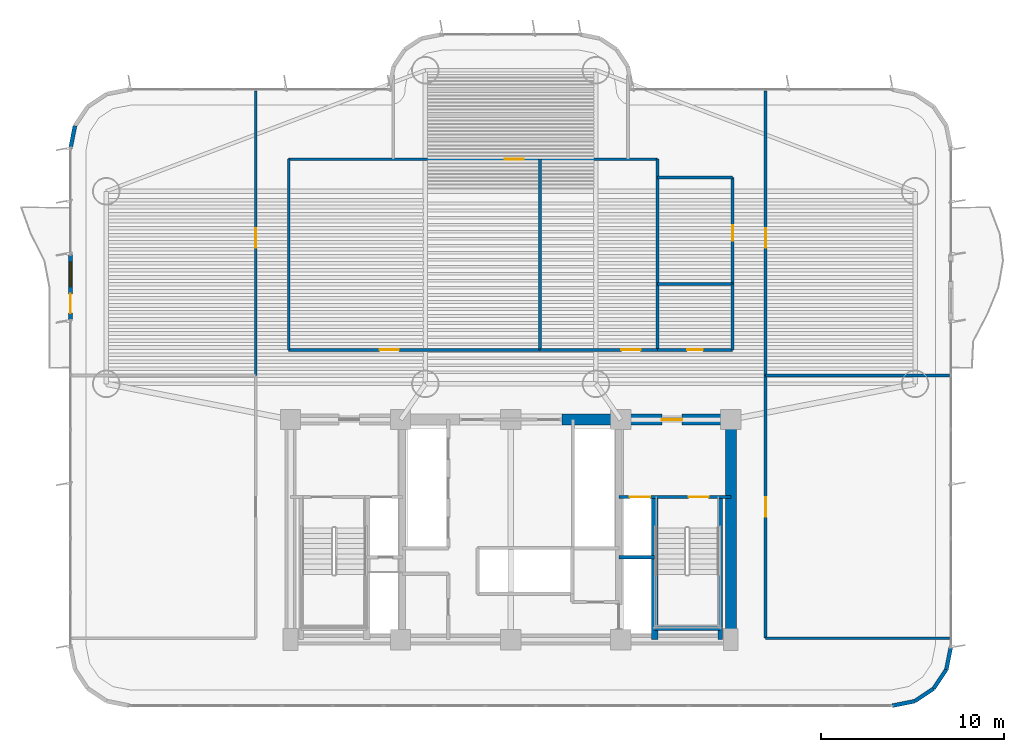
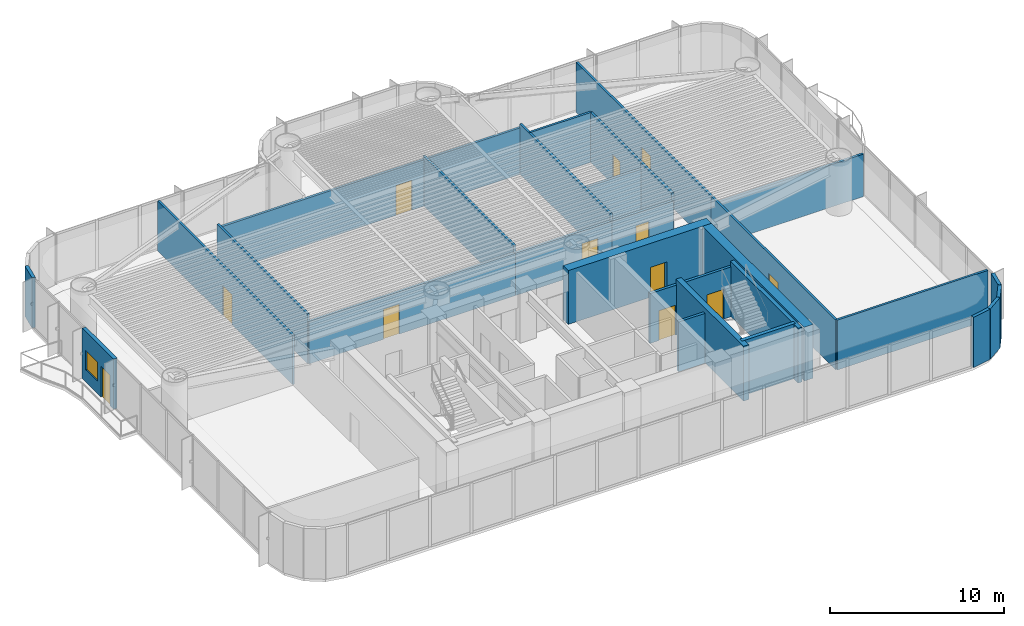
# One storey, part 11 of 16: 29 walls, 12 doors, 1 window, 13 openings.
"""IFC4 building model written with IfcOpenShell, lengths in metres."""

from ifc_helpers import new_model, si_unit, direction, frame, frame_2d, origin, origin_2d, place, context, subcontext, project, spatial, rectangle, extrude, source, transform, mapped, material, layer, layer_set, type_object, element, fill, save


model = new_model("IFC4")

# Units and contexts
model_context = context("Model", 3, precision=1e-05, world=origin(), true_north=direction((0.0, 1.0)))
body_context = subcontext(model_context, "Body", "Model", "MODEL_VIEW")
ifc_project = project(units=[si_unit("LENGTHUNIT", "METRE"), si_unit("AREAUNIT", "SQUARE_METRE"), si_unit("VOLUMEUNIT", "CUBIC_METRE"), si_unit("PLANEANGLEUNIT", "RADIAN"), si_unit("MASSUNIT", "GRAM", prefix="KILO")], contexts=[model_context])

# Site, building, storey
site_placement = place(None, origin())
site = spatial("IfcSite", under=ifc_project, at=site_placement, CompositionType="ELEMENT")
building_placement = place(site_placement, origin())
building = spatial("IfcBuilding", under=site, at=building_placement, Name="Brelvock Crest Care Tower", CompositionType="ELEMENT")
storey_placement = place(building_placement, frame((0.0, 0.0, 61.02001953125)))
storey = spatial("IfcBuildingStorey", under=building, at=storey_placement, Name="L15", CompositionType="ELEMENT", Elevation=61.02001953125)

# Wall
ifc_material_1 = material(Name="Concrete S80 (80 MPa)", Category="concrete")
ifc_layer_1 = layer(ifc_material_1, 0.60009765625, Name="WL-CS1")
ifc_layer_set_1 = layer_set([ifc_layer_1], Name="Concrete S80 (80 MPa)")
wall_type_1 = type_object("IfcWallType", Name="WL-CS1", PredefinedType="SHEAR", material=ifc_layer_set_1)
wall_1_placement = place(storey_placement, frame((48.0, 18.0, 0.0), z_axis=(0.0, 0.0, 1.0), x_axis=(0.0, -1.0, 0.0)))
element("IfcWall", 1, at=wall_1_placement, inside=storey, type_object=wall_type_1, Name="L15 Core East Shear Wall", PredefinedType="SHEAR", context=body_context, shape_type="SweptSolid", body=[
    extrude(rectangle(XDim=12.0, YDim=0.60009765625, at=frame_2d((6.0, 0.0))), origin(), (0.0, 0.0, 1.0), 3.780029296875),
])

# Wall, opening, door
wall_2_placement = place(storey_placement, frame((38.800048828125, 18.0, 0.0), z_axis=(0.0, 0.0, 1.0), x_axis=(1.0, 0.0, 0.0)))
wall_2 = element("IfcWall", 2, at=wall_2_placement, inside=storey, type_object=wall_type_1, Name="L15 Core North-East Shear Wall", PredefinedType="SHEAR", context=body_context, shape_type="SweptSolid", body=[
    extrude(rectangle(XDim=9.5, YDim=0.60009765625, at=frame_2d((4.75, 0.0))), origin(), (0.0, 0.0, 1.0), 3.780029296875),
])
opening_1_placement = place(wall_2_placement, frame((5.449951171875, 0.0, 0.0)))
opening_1 = element("IfcOpeningElement", 3, at=opening_1_placement, cuts=wall_2, Name="Opening FD-1", PredefinedType="OPENING", context=body_context, shape_type="SweptSolid", body=[
    extrude(rectangle(XDim=1.10009765625, YDim=2.10009765625, at=origin_2d()), frame((0.550048828125, 0.31005859375, 1.050048828125), z_axis=(0.0, -1.0, 0.0), x_axis=(1.0, 0.0, 0.0)), (0.0, 0.0, 1.0), 0.6201171875),
])
ifc_material_2 = material(Name="Steel Grade 350", Category="steel")
door_type_1 = type_object("IfcDoorType", Name="DR-FFL1", OperationType="NOTDEFINED", PredefinedType="DOOR", material=ifc_material_2)
shared_shape_1 = source(origin(), body_context, "Body", "SweptSolid", [
    extrude(rectangle(XDim=1.10009765625, YDim=2.10009765625, at=origin_2d()), frame((0.550048828125, 0.02490234375, 1.050048828125), z_axis=(0.0, -1.0, 0.0), x_axis=(1.0, 0.0, 0.0)), (0.0, 0.0, 1.0), 0.050048828125),
])
door_1_placement = place(opening_1_placement, origin())
door_1 = element("IfcDoor", 4, at=door_1_placement, inside=storey, type_object=door_type_1, Name="L15 Firefighting Lobby FFL-2 Exit Door", OperationType="SINGLE_SWING_RIGHT", OverallHeight=2.10009765625, OverallWidth=1.10009765625, PredefinedType="DOOR", context=body_context, shape_type="MappedRepresentation", body=[
    mapped(shared_shape_1, transform((0.0, 0.0, 0.0), x_axis=(1.0, 0.0, 0.0), y_axis=(0.0, 1.0, 0.0), z_axis=(0.0, 0.0, 1.0), scale=1.0)),
])
fill(opening_1, door_1)

# Walls
ifc_layer_2 = layer(ifc_material_1, 0.35009765625, Name="WL-CS5")
ifc_layer_set_2 = layer_set([ifc_layer_2], Name="Concrete S80 (80 MPa)")
wall_type_2 = type_object("IfcWallType", Name="WL-CS5", PredefinedType="SHEAR", material=ifc_layer_set_2)
wall_3_placement = place(storey_placement, frame((43.85009765625, 6.0, 0.0), z_axis=(0.0, 0.0, 1.0), x_axis=(0.0, 1.0, 0.0)))
element("IfcWall", 5, at=wall_3_placement, inside=storey, type_object=wall_type_2, Name="L15 Core Stair ST-2 West Shear Wall", PredefinedType="SHEAR", context=body_context, shape_type="SweptSolid", body=[
    extrude(rectangle(XDim=7.780029296875, YDim=0.35009765625, at=frame_2d((3.89013671875, 0.0))), origin(), (0.0, 0.0, 1.0), 3.85009765625),
])
ifc_layer_3 = layer(ifc_material_1, 0.25, Name="WL-CS6")
ifc_layer_set_3 = layer_set([ifc_layer_3], Name="Concrete S80 (80 MPa)")
wall_type_3 = type_object("IfcWallType", Name="WL-CS6", PredefinedType="SHEAR", material=ifc_layer_set_3)
wall_4_placement = place(storey_placement, frame((47.419921875, 6.0, 0.0), z_axis=(0.0, 0.0, 1.0), x_axis=(0.0, 1.0, 0.0)))
element("IfcWall", 6, at=wall_4_placement, inside=storey, type_object=wall_type_3, Name="L15 Core Stair ST-2 East Shear Wall", PredefinedType="SHEAR", context=body_context, shape_type="SweptSolid", body=[
    extrude(rectangle(XDim=7.780029296875, YDim=0.25, at=frame_2d((3.89013671875, 0.0))), origin(), (0.0, 0.0, 1.0), 3.85009765625),
])
wall_5_placement = place(storey_placement, frame((43.85009765625, 6.6201171875, 0.0), z_axis=(0.0, 0.0, 1.0), x_axis=(1.0, 0.0, 0.0)))
element("IfcWall", 7, at=wall_5_placement, inside=storey, type_object=wall_type_3, Name="L15 Core Stair ST-2 South Shear Wall", PredefinedType="SHEAR", context=body_context, shape_type="SweptSolid", body=[
    extrude(rectangle(XDim=3.56982421875, YDim=0.25, at=frame_2d((1.784912109375, 0.0))), origin(), (0.0, 0.0, 1.0), 3.85009765625),
])

# Wall, openings, door, window
ifc_material_3 = material(Name="Precast concrete N40 (40 MPa)", Category="concrete")
ifc_layer_4 = layer(ifc_material_3, 0.239990234375, Name="WL-EX1")
ifc_layer_set_4 = layer_set([ifc_layer_4], Name="Precast concrete N40 (40 MPa)")
wall_type_4 = type_object("IfcWallType", Name="WL-EX1", PredefinedType="SOLIDWALL", material=ifc_layer_set_4)
wall_6_placement = place(storey_placement, frame((12.0, 23.39990234375, 0.0), z_axis=(0.0, 0.0, 1.0), x_axis=(0.0, 1.0, 0.0)))
wall_6 = element("IfcWall", 8, at=wall_6_placement, inside=storey, type_object=wall_type_4, Name="L15 Exterior Spandrel Wall WL-BAL-L15-W", PredefinedType="SOLIDWALL", context=body_context, shape_type="SweptSolid", body=[
    extrude(rectangle(XDim=3.60009765625, YDim=0.239990234375, at=frame_2d((1.800048828125, 0.0))), origin(), (0.0, 0.0, 1.0), 3.530029296875),
])
opening_2_placement = place(wall_6_placement, frame((0.39990234375, 0.0, 0.0)))
opening_2 = element("IfcOpeningElement", 9, at=opening_2_placement, cuts=wall_6, Name="Opening BD-1", PredefinedType="OPENING", context=body_context, shape_type="SweptSolid", body=[
    extrude(rectangle(XDim=1.050048828125, YDim=2.14990234375, at=origin_2d()), frame((0.52490234375, 0.1298828125, 1.074951171875), z_axis=(0.0, -1.0, 0.0), x_axis=(1.0, 0.0, 0.0)), (0.0, 0.0, 1.0), 0.260009765625),
])
opening_3_placement = place(wall_6_placement, frame((1.85009765625, 0.0, 0.85009765625)))
opening_3 = element("IfcOpeningElement", 10, at=opening_3_placement, cuts=wall_6, Name="Opening W-01", PredefinedType="OPENING", context=body_context, shape_type="SweptSolid", body=[
    extrude(rectangle(XDim=1.35009765625, YDim=1.35009765625, at=origin_2d()), frame((0.675048828125, 0.1298828125, 0.675048828125), z_axis=(0.0, -1.0, 0.0), x_axis=(1.0, 0.0, 0.0)), (0.0, 0.0, 1.0), 0.260009765625),
])
ifc_material_4 = material(Name="Dark Glass Double Glazed Low-E", Category="glass")
door_type_2 = type_object("IfcDoorType", Name="DR-BAL1", OperationType="NOTDEFINED", PredefinedType="DOOR", material=ifc_material_4)
shared_shape_2 = source(origin(), body_context, "Body", "SweptSolid", [
    extrude(rectangle(XDim=1.050048828125, YDim=2.14990234375, at=origin_2d()), frame((0.52490234375, 0.02490234375, 1.074951171875), z_axis=(0.0, -1.0, 0.0), x_axis=(1.0, 0.0, 0.0)), (0.0, 0.0, 1.0), 0.050048828125),
])
door_2_placement = place(opening_2_placement, origin())
door_2 = element("IfcDoor", 11, at=door_2_placement, inside=storey, type_object=door_type_2, Name="L15 W Wave Balcony Glazed Door", OperationType="SINGLE_SWING_LEFT", OverallHeight=2.14990234375, OverallWidth=1.050048828125, PredefinedType="DOOR", context=body_context, shape_type="MappedRepresentation", body=[
    mapped(shared_shape_2, transform((0.0, 0.0, 0.0), x_axis=(1.0, 0.0, 0.0), y_axis=(0.0, 1.0, 0.0), z_axis=(0.0, 0.0, 1.0), scale=1.0)),
])
fill(opening_2, door_2)
window_type = type_object("IfcWindowType", Name="WN-EX1", PartitioningType="SINGLE_PANEL", PredefinedType="WINDOW", material=ifc_material_4)
shared_shape_3 = source(origin(), body_context, "Body", "SweptSolid", [
    extrude(rectangle(XDim=1.35009765625, YDim=1.35009765625, at=origin_2d()), frame((0.675048828125, 0.030029296875, 0.675048828125), z_axis=(0.0, -1.0, 0.0), x_axis=(1.0, 0.0, 0.0)), (0.0, 0.0, 1.0), 0.06005859375),
])
window_placement = place(opening_3_placement, origin())
window = element("IfcWindow", 12, at=window_placement, inside=storey, type_object=window_type, Name="L15 W Suite Casement Window", OverallHeight=1.35009765625, OverallWidth=1.35009765625, PartitioningType="SINGLE_PANEL", PredefinedType="WINDOW", context=body_context, shape_type="MappedRepresentation", body=[
    mapped(shared_shape_3, transform((0.0, 0.0, 0.0), x_axis=(1.0, 0.0, 0.0), y_axis=(0.0, 1.0, 0.0), z_axis=(0.0, 0.0, 1.0), scale=1.0)),
])
fill(opening_3, window)

# Walls
ifc_layer_5 = layer(ifc_material_3, 0.215087890625, Name="WL-EX2")
ifc_layer_set_5 = layer_set([ifc_layer_5], Name="Precast concrete N40 (40 MPa)")
wall_type_5 = type_object("IfcWallType", Name="WL-EX2", PredefinedType="SOLIDWALL", material=ifc_layer_set_5)
for number, where, z_axis, x_axis, name in (
    (13, (60.0, 5.60009765625, 0.0), (0.0, 0.0, 1.0), (-0.195138390419, -0.980775717779, 0.0), "L15 Rounded Corner Wall 04"),
    (14, (59.75634765625, 4.37548828125, 0.0), (0.0, 0.0, 1.0), (-0.555557312883, -0.831478245117, 0.0), "L15 Rounded Corner Wall 05"),
    (15, (59.062744140625, 3.33740234375, 0.0), (0.0, 0.0, 1.0), (-0.831387912822, -0.555692485475, 0.0), "L15 Rounded Corner Wall 06"),
    (16, (58.024658203125, 2.6435546875, 0.0), (0.0, 0.0, 1.0), (-0.980775717779, -0.195138390419, 0.0), "L15 Rounded Corner Wall 07"),
    (17, (12.0, 32.800048828125, 0.0), (0.0, 0.0, 1.0), (0.195138390419, 0.980775717779, 0.0), "L15 Rounded Corner Wall 14"),
):
    element("IfcWall", number, at=place(storey_placement, frame(where, z_axis=z_axis, x_axis=x_axis)), inside=storey, type_object=wall_type_5, Name=name, PredefinedType="SOLIDWALL", context=body_context, shape_type="SweptSolid", body=[
        extrude(rectangle(XDim=1.24853515625, YDim=0.215087890625, at=frame_2d((0.624267578125, 0.0))), origin(), (0.0, 0.0, 1.0), 3.530029296875),
    ])
ifc_material_5 = material(Name="Masonry Blockwork Acoustic Partition", Category="masonry")
ifc_layer_6 = layer(ifc_material_5, 0.14990234375, Name="WL-INT1")
ifc_layer_set_6 = layer_set([ifc_layer_6], Name="Masonry Blockwork Acoustic Partition")
wall_type_6 = type_object("IfcWallType", Name="WL-INT1", PredefinedType="PARTITIONING", material=ifc_layer_set_6)
wall_7_placement = place(storey_placement, frame((49.89990234375, 6.080078125, 0.0), z_axis=(0.0, 0.0, 1.0), x_axis=(1.0, 0.0, 0.0)))
element("IfcWall", 18, at=wall_7_placement, inside=storey, type_object=wall_type_6, Name="L15 Interior Wall WL-BX-L15-ES1-S", PredefinedType="PARTITIONING", context=body_context, shape_type="SweptSolid", body=[
    extrude(rectangle(XDim=10.02001953125, YDim=0.14990234375, at=frame_2d((5.010009765625, 0.0))), origin(), (0.0, 0.0, 1.0), 3.5),
])
wall_8_placement = place(storey_placement, frame((49.89990234375, 20.39990234375, 0.0), z_axis=(0.0, 0.0, 1.0), x_axis=(1.0, 0.0, 0.0)))
element("IfcWall", 19, at=wall_8_placement, inside=storey, type_object=wall_type_6, Name="L15 Interior Wall WL-BX-L15-ES1-N", PredefinedType="PARTITIONING", context=body_context, shape_type="SweptSolid", body=[
    extrude(rectangle(XDim=10.02001953125, YDim=0.14990234375, at=frame_2d((5.010009765625, 0.0))), origin(), (0.0, 0.0, 1.0), 2.98193359375),
])

# Wall, opening, door
wall_9_placement = place(storey_placement, frame((23.89990234375, 21.800048828125, 0.0), z_axis=(0.0, 0.0, 1.0), x_axis=(1.0, 0.0, 0.0)))
wall_9 = element("IfcWall", 20, at=wall_9_placement, inside=storey, type_object=wall_type_6, Name="L15 Interior Wall WL-RM-L15-CNW", PredefinedType="PARTITIONING", context=body_context, shape_type="SweptSolid", body=[
    extrude(rectangle(XDim=13.7001953125, YDim=0.14990234375, at=frame_2d((6.85009765625, 0.0))), origin(), (0.0, 0.0, 1.0), 2.98193359375),
])
opening_4_placement = place(wall_9_placement, frame((4.955078125, 0.0, 0.0)))
opening_4 = element("IfcOpeningElement", 21, at=opening_4_placement, cuts=wall_9, Name="Opening CLD-1", PredefinedType="OPENING", context=body_context, shape_type="SweptSolid", body=[
    extrude(rectangle(XDim=1.050048828125, YDim=2.10009765625, at=origin_2d()), frame((0.52490234375, 0.0849609375, 1.050048828125), z_axis=(0.0, -1.0, 0.0), x_axis=(1.0, 0.0, 0.0)), (0.0, 0.0, 1.0), 0.169921875),
])
ifc_material_6 = material(Name="Engineered Hardwood Timber", Category="wood")
door_type_3 = type_object("IfcDoorType", Name="DR-CLN1", OperationType="NOTDEFINED", PredefinedType="DOOR", material=ifc_material_6)
shared_shape_4 = source(origin(), body_context, "Body", "SweptSolid", [
    extrude(rectangle(XDim=1.050048828125, YDim=2.10009765625, at=origin_2d()), frame((0.52490234375, 0.02490234375, 1.050048828125), z_axis=(0.0, -1.0, 0.0), x_axis=(1.0, 0.0, 0.0)), (0.0, 0.0, 1.0), 0.050048828125),
])
door_3_placement = place(opening_4_placement, origin())
door_3 = element("IfcDoor", 22, at=door_3_placement, inside=storey, type_object=door_type_3, Name="L15 Communal Dining Conservatory Door CNW", OperationType="SINGLE_SWING_LEFT", OverallHeight=2.10009765625, OverallWidth=1.050048828125, PredefinedType="DOOR", context=body_context, shape_type="MappedRepresentation", body=[
    mapped(shared_shape_4, transform((0.0, 0.0, 0.0), x_axis=(1.0, 0.0, 0.0), y_axis=(0.0, 1.0, 0.0), z_axis=(0.0, 0.0, 1.0), scale=1.0)),
])
fill(opening_4, door_3)

wall_10_placement = place(storey_placement, frame((37.60009765625, 21.800048828125, 0.0), z_axis=(0.0, 0.0, 1.0), x_axis=(1.0, 0.0, 0.0)))
wall_10 = element("IfcWall", 23, at=wall_10_placement, inside=storey, type_object=wall_type_6, Name="L15 Interior Wall WL-RM-L15-CNE", PredefinedType="PARTITIONING", context=body_context, shape_type="SweptSolid", body=[
    extrude(rectangle(XDim=6.39990234375, YDim=0.14990234375, at=frame_2d((3.199951171875, 0.0))), origin(), (0.0, 0.0, 1.0), 2.98193359375),
])
opening_5_placement = place(wall_10_placement, frame((4.43505859375, 0.0, 0.0)))
opening_5 = element("IfcOpeningElement", 24, at=opening_5_placement, cuts=wall_10, Name="Opening CLD-1", PredefinedType="OPENING", context=body_context, shape_type="SweptSolid", body=[
    extrude(rectangle(XDim=1.050048828125, YDim=2.10009765625, at=origin_2d()), frame((0.52490234375, 0.0849609375, 1.050048828125), z_axis=(0.0, -1.0, 0.0), x_axis=(1.0, 0.0, 0.0)), (0.0, 0.0, 1.0), 0.169921875),
])
door_4_placement = place(opening_5_placement, origin())
door_4 = element("IfcDoor", 25, at=door_4_placement, inside=storey, type_object=door_type_3, Name="L15 Geriatric Nurse Consultation Hub Door CNE", OperationType="SINGLE_SWING_LEFT", OverallHeight=2.10009765625, OverallWidth=1.050048828125, PredefinedType="DOOR", context=body_context, shape_type="MappedRepresentation", body=[
    mapped(shared_shape_4, transform((0.0, 0.0, 0.0), x_axis=(1.0, 0.0, 0.0), y_axis=(0.0, 1.0, 0.0), z_axis=(0.0, 0.0, 1.0), scale=1.0)),
])
fill(opening_5, door_4)

# Wall
wall_11_placement = place(storey_placement, frame((44.0, 31.199951171875, 0.0), z_axis=(0.0, 0.0, 1.0), x_axis=(1.0, 0.0, 0.0)))
element("IfcWall", 26, at=wall_11_placement, inside=storey, type_object=wall_type_6, Name="L15 Interior Wall WL-BX-L15-CKIT-N", PredefinedType="PARTITIONING", context=body_context, shape_type="SweptSolid", body=[
    extrude(rectangle(XDim=4.10009765625, YDim=0.14990234375, at=frame_2d((2.050048828125, 0.0))), origin(), (0.0, 0.0, 1.0), 3.5),
])

# Wall, opening, door
wall_12_placement = place(storey_placement, frame((23.89990234375, 32.199951171875, 0.0), z_axis=(0.0, 0.0, 1.0), x_axis=(1.0, 0.0, 0.0)))
wall_12 = element("IfcWall", 27, at=wall_12_placement, inside=storey, type_object=wall_type_6, Name="L15 Interior Wall WL-RM-L15-NHUB", PredefinedType="PARTITIONING", context=body_context, shape_type="SweptSolid", body=[
    extrude(rectangle(XDim=20.10009765625, YDim=0.14990234375, at=frame_2d((10.050048828125, 0.0))), origin(), (0.0, 0.0, 1.0), 3.259033203125),
])
opening_6_placement = place(wall_12_placement, frame((11.77490234375, 0.0, 0.0)))
opening_6 = element("IfcOpeningElement", 28, at=opening_6_placement, cuts=wall_12, Name="Opening CLD-1", PredefinedType="OPENING", context=body_context, shape_type="SweptSolid", body=[
    extrude(rectangle(XDim=1.050048828125, YDim=2.10009765625, at=origin_2d()), frame((0.52490234375, 0.0849609375, 1.050048828125), z_axis=(0.0, -1.0, 0.0), x_axis=(1.0, 0.0, 0.0)), (0.0, 0.0, 1.0), 0.169921875),
])
door_5_placement = place(opening_6_placement, origin())
door_5 = element("IfcDoor", 29, at=door_5_placement, inside=storey, type_object=door_type_3, Name="L15 Harbour Wintergarden Lounge Door NHUB", OperationType="SINGLE_SWING_LEFT", OverallHeight=2.10009765625, OverallWidth=1.050048828125, PredefinedType="DOOR", context=body_context, shape_type="MappedRepresentation", body=[
    mapped(shared_shape_4, transform((0.0, 0.0, 0.0), x_axis=(1.0, 0.0, 0.0), y_axis=(0.0, 1.0, 0.0), z_axis=(0.0, 0.0, 1.0), scale=1.0)),
])
fill(opening_6, door_5)

wall_13_placement = place(storey_placement, frame((22.10009765625, 20.39990234375, 0.0), z_axis=(0.0, 0.0, 1.0), x_axis=(0.0, 1.0, 0.0)))
wall_13 = element("IfcWall", 30, at=wall_13_placement, inside=storey, type_object=wall_type_6, Name="L15 Interior Wall WL-RM-L15-WS2", PredefinedType="PARTITIONING", context=body_context, shape_type="SweptSolid", body=[
    extrude(rectangle(XDim=15.520751953125, YDim=0.14990234375, at=frame_2d((7.76025390625, 0.0))), origin(), (0.0, 0.0, 1.0), 3.5),
])
opening_7_placement = place(wall_13_placement, frame((6.97509765625, 0.0, 0.0)))
opening_7 = element("IfcOpeningElement", 31, at=opening_7_placement, cuts=wall_13, Name="Opening CLD-1", PredefinedType="OPENING", context=body_context, shape_type="SweptSolid", body=[
    extrude(rectangle(XDim=1.050048828125, YDim=2.10009765625, at=origin_2d()), frame((0.52490234375, 0.0849609375, 1.050048828125), z_axis=(0.0, -1.0, 0.0), x_axis=(1.0, 0.0, 0.0)), (0.0, 0.0, 1.0), 0.169921875),
])
door_6_placement = place(opening_7_placement, origin())
door_6 = element("IfcDoor", 32, at=door_6_placement, inside=storey, type_object=door_type_3, Name="L15 Resident Cinema and Music Salon Door WS2", OperationType="SINGLE_SWING_LEFT", OverallHeight=2.10009765625, OverallWidth=1.050048828125, PredefinedType="DOOR", context=body_context, shape_type="MappedRepresentation", body=[
    mapped(shared_shape_4, transform((0.0, 0.0, 0.0), x_axis=(1.0, 0.0, 0.0), y_axis=(0.0, 1.0, 0.0), z_axis=(0.0, 0.0, 1.0), scale=1.0)),
])
fill(opening_7, door_6)

# Walls
for number, where, z_axis, x_axis, name in (
    (33, (23.89990234375, 21.800048828125, 0.0), (0.0, 0.0, 1.0), (0.0, 1.0, 0.0), "L15 Interior Wall WL-BX-L15-CNW-W"),
    (34, (37.60009765625, 21.800048828125, 0.0), (0.0, 0.0, 1.0), (0.0, 1.0, 0.0), "L15 Interior Wall WL-BX-L15-CNE-W"),
):
    element("IfcWall", number, at=place(storey_placement, frame(where, z_axis=z_axis, x_axis=x_axis)), inside=storey, type_object=wall_type_6, Name=name, PredefinedType="PARTITIONING", context=body_context, shape_type="SweptSolid", body=[
        extrude(rectangle(XDim=10.39990234375, YDim=0.14990234375, at=frame_2d((5.199951171875, 0.0))), origin(), (0.0, 0.0, 1.0), 3.5),
    ])

# Wall, opening, door
wall_14_placement = place(storey_placement, frame((48.10009765625, 25.39990234375, 0.0), z_axis=(0.0, 0.0, 1.0), x_axis=(0.0, 1.0, 0.0)))
wall_14 = element("IfcWall", 35, at=wall_14_placement, inside=storey, type_object=wall_type_6, Name="L15 Interior Wall WL-RM-L15-CKIT", PredefinedType="PARTITIONING", context=body_context, shape_type="SweptSolid", body=[
    extrude(rectangle(XDim=5.800048828125, YDim=0.14990234375, at=frame_2d((2.89990234375, 0.0))), origin(), (0.0, 0.0, 1.0), 3.5),
])
opening_8_placement = place(wall_14_placement, frame((2.340087890625, 0.0, 0.0)))
opening_8 = element("IfcOpeningElement", 36, at=opening_8_placement, cuts=wall_14, Name="Opening ID-1", PredefinedType="OPENING", context=body_context, shape_type="SweptSolid", body=[
    extrude(rectangle(XDim=0.860107421875, YDim=2.10009765625, at=origin_2d()), frame((0.43017578125, 0.0849609375, 1.050048828125), z_axis=(0.0, -1.0, 0.0), x_axis=(1.0, 0.0, 0.0)), (0.0, 0.0, 1.0), 0.169921875),
])
door_type_4 = type_object("IfcDoorType", Name="DR-INT1", OperationType="NOTDEFINED", PredefinedType="DOOR", material=ifc_material_6)
shared_shape_5 = source(origin(), body_context, "Body", "SweptSolid", [
    extrude(rectangle(XDim=0.860107421875, YDim=2.10009765625, at=origin_2d()), frame((0.43017578125, 0.02490234375, 1.050048828125), z_axis=(0.0, -1.0, 0.0), x_axis=(1.0, 0.0, 0.0)), (0.0, 0.0, 1.0), 0.050048828125),
])
door_7_placement = place(opening_8_placement, origin())
door_7 = element("IfcDoor", 37, at=door_7_placement, inside=storey, type_object=door_type_4, Name="L15 Neighbourhood Pantry Kitchen Door CKIT", OperationType="SINGLE_SWING_LEFT", OverallHeight=2.10009765625, OverallWidth=0.860107421875, PredefinedType="DOOR", context=body_context, shape_type="MappedRepresentation", body=[
    mapped(shared_shape_5, transform((0.0, 0.0, 0.0), x_axis=(1.0, 0.0, 0.0), y_axis=(0.0, 1.0, 0.0), z_axis=(0.0, 0.0, 1.0), scale=1.0)),
])
fill(opening_8, door_7)

wall_15_placement = place(storey_placement, frame((49.89990234375, 6.080078125, 0.0), z_axis=(0.0, 0.0, 1.0), x_axis=(0.0, 1.0, 0.0)))
wall_15 = element("IfcWall", 38, at=wall_15_placement, inside=storey, type_object=wall_type_6, Name="L15 Interior Wall WL-RM-L15-ES1", PredefinedType="PARTITIONING", context=body_context, shape_type="SweptSolid", body=[
    extrude(rectangle(XDim=14.31982421875, YDim=0.14990234375, at=frame_2d((7.159912109375, 0.0))), origin(), (0.0, 0.0, 1.0), 3.5),
])
opening_9_placement = place(wall_15_placement, frame((6.635009765625, 0.0, 0.0)))
opening_9 = element("IfcOpeningElement", 39, at=opening_9_placement, cuts=wall_15, Name="Opening CLD-1", PredefinedType="OPENING", context=body_context, shape_type="SweptSolid", body=[
    extrude(rectangle(XDim=1.050048828125, YDim=2.10009765625, at=origin_2d()), frame((0.52490234375, 0.0849609375, 1.050048828125), z_axis=(0.0, -1.0, 0.0), x_axis=(1.0, 0.0, 0.0)), (0.0, 0.0, 1.0), 0.169921875),
])
door_8_placement = place(opening_9_placement, origin())
door_8 = element("IfcDoor", 40, at=door_8_placement, inside=storey, type_object=door_type_3, Name="L15 Quiet Reference Library Door ES1", OperationType="SINGLE_SWING_LEFT", OverallHeight=2.10009765625, OverallWidth=1.050048828125, PredefinedType="DOOR", context=body_context, shape_type="MappedRepresentation", body=[
    mapped(shared_shape_4, transform((0.0, 0.0, 0.0), x_axis=(1.0, 0.0, 0.0), y_axis=(0.0, 1.0, 0.0), z_axis=(0.0, 0.0, 1.0), scale=1.0)),
])
fill(opening_9, door_8)

wall_16_placement = place(storey_placement, frame((49.89990234375, 20.39990234375, 0.0), z_axis=(0.0, 0.0, 1.0), x_axis=(0.0, 1.0, 0.0)))
wall_16 = element("IfcWall", 41, at=wall_16_placement, inside=storey, type_object=wall_type_6, Name="L15 Interior Wall WL-RM-L15-ES2", PredefinedType="PARTITIONING", context=body_context, shape_type="SweptSolid", body=[
    extrude(rectangle(XDim=15.520263671875, YDim=0.14990234375, at=frame_2d((7.76025390625, 0.0))), origin(), (0.0, 0.0, 1.0), 3.5),
])
opening_10_placement = place(wall_16_placement, frame((6.97509765625, 0.0, 0.0)))
opening_10 = element("IfcOpeningElement", 42, at=opening_10_placement, cuts=wall_16, Name="Opening CLD-1", PredefinedType="OPENING", context=body_context, shape_type="SweptSolid", body=[
    extrude(rectangle(XDim=1.050048828125, YDim=2.10009765625, at=origin_2d()), frame((0.52490234375, 0.0849609375, 1.050048828125), z_axis=(0.0, -1.0, 0.0), x_axis=(1.0, 0.0, 0.0)), (0.0, 0.0, 1.0), 0.169921875),
])
door_9_placement = place(opening_10_placement, origin())
door_9 = element("IfcDoor", 43, at=door_9_placement, inside=storey, type_object=door_type_3, Name="L15 Bridge and Harbour Tea Lounge Door ES2", OperationType="SINGLE_SWING_LEFT", OverallHeight=2.10009765625, OverallWidth=1.050048828125, PredefinedType="DOOR", context=body_context, shape_type="MappedRepresentation", body=[
    mapped(shared_shape_4, transform((0.0, 0.0, 0.0), x_axis=(1.0, 0.0, 0.0), y_axis=(0.0, 1.0, 0.0), z_axis=(0.0, 0.0, 1.0), scale=1.0)),
])
fill(opening_10, door_9)

ifc_material_7 = material(Name="Gypsum Plasterboard Partition", Category="gypsum")
ifc_layer_7 = layer(ifc_material_7, 0.159912109375, Name="WL-PLM1")
ifc_layer_set_7 = layer_set([ifc_layer_7], Name="Gypsum Plasterboard Partition")
wall_type_7 = type_object("IfcWallType", Name="WL-PLM1", PredefinedType="PLUMBINGWALL", material=ifc_layer_set_7)
wall_17_placement = place(storey_placement, frame((44.0, 21.800048828125, 0.0), z_axis=(0.0, 0.0, 1.0), x_axis=(1.0, 0.0, 0.0)))
wall_17 = element("IfcWall", 44, at=wall_17_placement, inside=storey, type_object=wall_type_7, Name="L15 Interior Wall WL-RM-L15-CAWC", PredefinedType="PLUMBINGWALL", context=body_context, shape_type="SweptSolid", body=[
    extrude(rectangle(XDim=4.10009765625, YDim=0.159912109375, at=frame_2d((2.050048828125, 0.0))), origin(), (0.0, 0.0, 1.0), 2.98193359375),
])
opening_11_placement = place(wall_17_placement, frame((1.6201171875, 0.0, 0.0)))
opening_11 = element("IfcOpeningElement", 45, at=opening_11_placement, cuts=wall_17, Name="Opening WD-1", PredefinedType="OPENING", context=body_context, shape_type="SweptSolid", body=[
    extrude(rectangle(XDim=0.860107421875, YDim=2.10009765625, at=origin_2d()), frame((0.43017578125, 0.08984375, 1.050048828125), z_axis=(0.0, -1.0, 0.0), x_axis=(1.0, 0.0, 0.0)), (0.0, 0.0, 1.0), 0.179931640625),
])
door_type_5 = type_object("IfcDoorType", Name="DR-WC1", OperationType="NOTDEFINED", PredefinedType="DOOR", material=ifc_material_6)
shared_shape_6 = source(origin(), body_context, "Body", "SweptSolid", [
    extrude(rectangle(XDim=0.860107421875, YDim=2.10009765625, at=origin_2d()), frame((0.43017578125, 0.02490234375, 1.050048828125), z_axis=(0.0, -1.0, 0.0), x_axis=(1.0, 0.0, 0.0)), (0.0, 0.0, 1.0), 0.050048828125),
])
door_10_placement = place(opening_11_placement, origin())
door_10 = element("IfcDoor", 46, at=door_10_placement, inside=storey, type_object=door_type_5, Name="L15 Floor Accessible WC Door CAWC", OperationType="SINGLE_SWING_LEFT", OverallHeight=2.10009765625, OverallWidth=0.860107421875, PredefinedType="DOOR", context=body_context, shape_type="MappedRepresentation", body=[
    mapped(shared_shape_6, transform((0.0, 0.0, 0.0), x_axis=(1.0, 0.0, 0.0), y_axis=(0.0, 1.0, 0.0), z_axis=(0.0, 0.0, 1.0), scale=1.0)),
])
fill(opening_11, door_10)

# Walls
wall_18_placement = place(storey_placement, frame((44.0, 25.39990234375, 0.0), z_axis=(0.0, 0.0, 1.0), x_axis=(1.0, 0.0, 0.0)))
element("IfcWall", 47, at=wall_18_placement, inside=storey, type_object=wall_type_7, Name="L15 Interior Wall WL-BX-L15-CAWC-N", PredefinedType="PLUMBINGWALL", context=body_context, shape_type="SweptSolid", body=[
    extrude(rectangle(XDim=4.10009765625, YDim=0.159912109375, at=frame_2d((2.050048828125, 0.0))), origin(), (0.0, 0.0, 1.0), 3.054931640625),
])
wall_19_placement = place(storey_placement, frame((44.0, 21.800048828125, 0.0), z_axis=(0.0, 0.0, 1.0), x_axis=(0.0, 1.0, 0.0)))
element("IfcWall", 48, at=wall_19_placement, inside=storey, type_object=wall_type_7, Name="L15 Interior Wall WL-BX-L15-CNE-E", PredefinedType="PLUMBINGWALL", context=body_context, shape_type="SweptSolid", body=[
    extrude(rectangle(XDim=10.39990234375, YDim=0.159912109375, at=frame_2d((5.199951171875, 0.0))), origin(), (0.0, 0.0, 1.0), 3.5),
])
wall_20_placement = place(storey_placement, frame((48.10009765625, 21.800048828125, 0.0), z_axis=(0.0, 0.0, 1.0), x_axis=(0.0, 1.0, 0.0)))
element("IfcWall", 49, at=wall_20_placement, inside=storey, type_object=wall_type_7, Name="L15 Interior Wall WL-BX-L15-CAWC-E", PredefinedType="PLUMBINGWALL", context=body_context, shape_type="SweptSolid", body=[
    extrude(rectangle(XDim=3.599853515625, YDim=0.159912109375, at=frame_2d((1.7998046875, 0.0))), origin(), (0.0, 0.0, 1.0), 3.5),
])

# Wall, openings, doors
ifc_layer_8 = layer(ifc_material_5, 0.179931640625, Name="WL-SHF1")
ifc_layer_set_8 = layer_set([ifc_layer_8], Name="Masonry Blockwork Acoustic Partition")
wall_type_8 = type_object("IfcWallType", Name="WL-SHF1", PredefinedType="PARTITIONING", material=ifc_layer_set_8)
wall_21_placement = place(storey_placement, frame((41.89990234375, 13.780029296875, 0.0), z_axis=(0.0, 0.0, 1.0), x_axis=(1.0, 0.0, 0.0)))
wall_21 = element("IfcWall", 50, at=wall_21_placement, inside=storey, type_object=wall_type_8, Name="L15 Interior Wall WL-ST2-N-L15", PredefinedType="PARTITIONING", context=body_context, shape_type="SweptSolid", body=[
    extrude(rectangle(XDim=6.10009765625, YDim=0.179931640625, at=frame_2d((3.050048828125, 0.0))), origin(), (0.0, 0.0, 1.0), 3.5),
])
opening_12_placement = place(wall_21_placement, frame((0.60009765625, 0.0, 0.0)))
opening_12 = element("IfcOpeningElement", 51, at=opening_12_placement, cuts=wall_21, Name="Opening LD", PredefinedType="OPENING", context=body_context, shape_type="SweptSolid", body=[
    extrude(rectangle(XDim=1.10009765625, YDim=2.10009765625, at=origin_2d()), frame((0.550048828125, 0.10009765625, 1.050048828125), z_axis=(0.0, -1.0, 0.0), x_axis=(1.0, 0.0, 0.0)), (0.0, 0.0, 1.0), 0.199951171875),
])
opening_13_placement = place(wall_21_placement, frame((3.800048828125, 0.0, 0.0)))
opening_13 = element("IfcOpeningElement", 52, at=opening_13_placement, cuts=wall_21, Name="Opening SD-1", PredefinedType="OPENING", context=body_context, shape_type="SweptSolid", body=[
    extrude(rectangle(XDim=1.10009765625, YDim=2.10009765625, at=origin_2d()), frame((0.550048828125, 0.10009765625, 1.050048828125), z_axis=(0.0, -1.0, 0.0), x_axis=(1.0, 0.0, 0.0)), (0.0, 0.0, 1.0), 0.199951171875),
])
door_type_6 = type_object("IfcDoorType", Name="DR-ST1", OperationType="NOTDEFINED", PredefinedType="DOOR", material=ifc_material_2)
shared_shape_7 = source(origin(), body_context, "Body", "SweptSolid", [
    extrude(rectangle(XDim=1.10009765625, YDim=2.10009765625, at=origin_2d()), frame((0.550048828125, 0.02490234375, 1.050048828125), z_axis=(0.0, -1.0, 0.0), x_axis=(1.0, 0.0, 0.0)), (0.0, 0.0, 1.0), 0.050048828125),
])
door_11_placement = place(opening_13_placement, origin())
door_11 = element("IfcDoor", 53, at=door_11_placement, inside=storey, type_object=door_type_6, Name="L15 Fire Stair ST-2 Door", OperationType="SINGLE_SWING_RIGHT", OverallHeight=2.10009765625, OverallWidth=1.10009765625, PredefinedType="DOOR", context=body_context, shape_type="MappedRepresentation", body=[
    mapped(shared_shape_7, transform((0.0, 0.0, 0.0), x_axis=(1.0, 0.0, 0.0), y_axis=(0.0, 1.0, 0.0), z_axis=(0.0, 0.0, 1.0), scale=1.0)),
])
fill(opening_13, door_11)
door_type_7 = type_object("IfcDoorType", Name="DR-LD1", OperationType="NOTDEFINED", PredefinedType="DOOR", material=ifc_material_2)
shared_shape_8 = source(origin(), body_context, "Body", "SweptSolid", [
    extrude(rectangle(XDim=1.10009765625, YDim=2.10009765625, at=origin_2d()), frame((0.550048828125, 0.02490234375, 1.050048828125), z_axis=(0.0, -1.0, 0.0), x_axis=(1.0, 0.0, 0.0)), (0.0, 0.0, 1.0), 0.050048828125),
])
door_12_placement = place(opening_12_placement, origin())
door_12 = element("IfcDoor", 54, at=door_12_placement, inside=storey, type_object=door_type_7, Name="L15 Firefighting Lift FFL-2 Landing Door", OperationType="SLIDING_TO_RIGHT", OverallHeight=2.10009765625, OverallWidth=1.10009765625, PredefinedType="DOOR", context=body_context, shape_type="MappedRepresentation", body=[
    mapped(shared_shape_8, transform((0.0, 0.0, 0.0), x_axis=(1.0, 0.0, 0.0), y_axis=(0.0, 1.0, 0.0), z_axis=(0.0, 0.0, 1.0), scale=1.0)),
])
fill(opening_12, door_12)

# Wall
wall_22_placement = place(storey_placement, frame((41.89990234375, 10.5, 0.0), z_axis=(0.0, 0.0, 1.0), x_axis=(1.0, 0.0, 0.0)))
element("IfcWall", 55, at=wall_22_placement, inside=storey, type_object=wall_type_8, Name="L15 Interior Wall WL-FFH2-S-L15", PredefinedType="PARTITIONING", context=body_context, shape_type="SweptSolid", body=[
    extrude(rectangle(XDim=1.9501953125, YDim=0.179931640625, at=frame_2d((0.97509765625, 0.0))), origin(), (0.0, 0.0, 1.0), 3.5),
])

save(model, "model.ifc")
